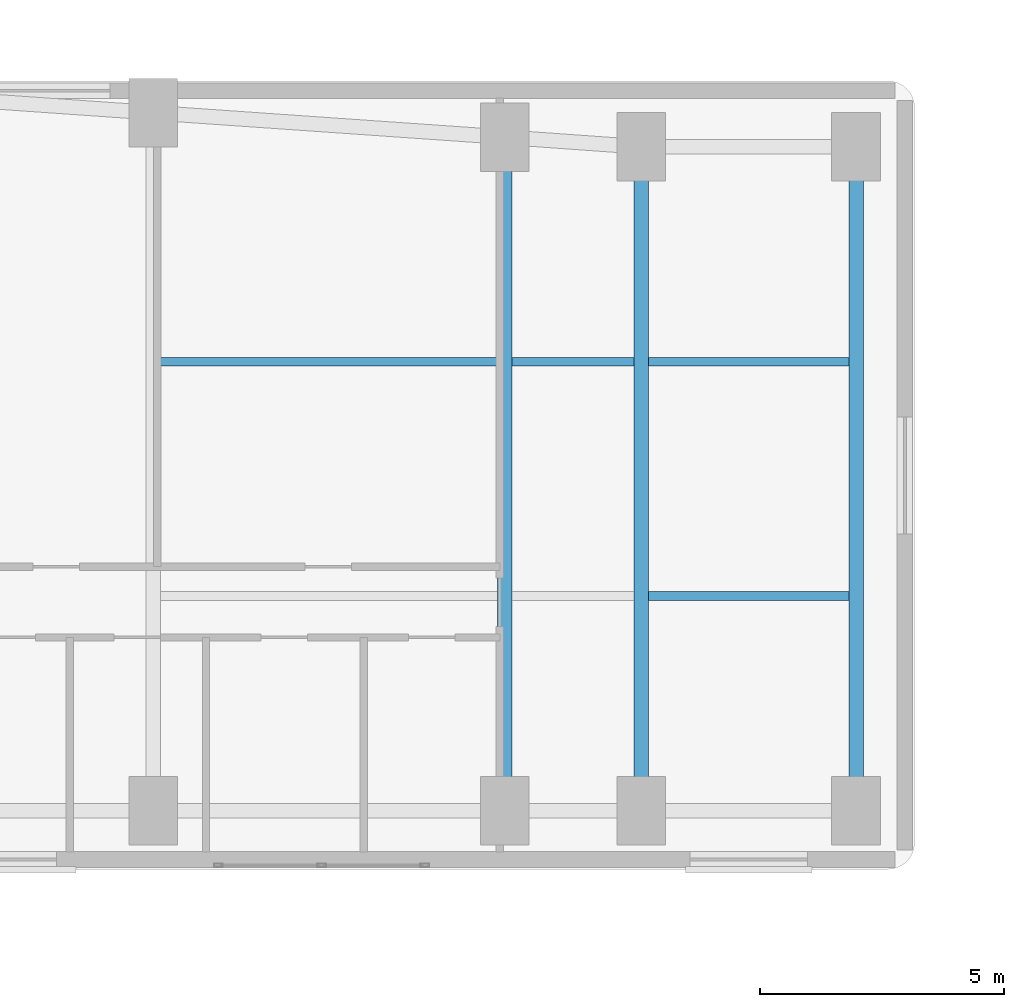
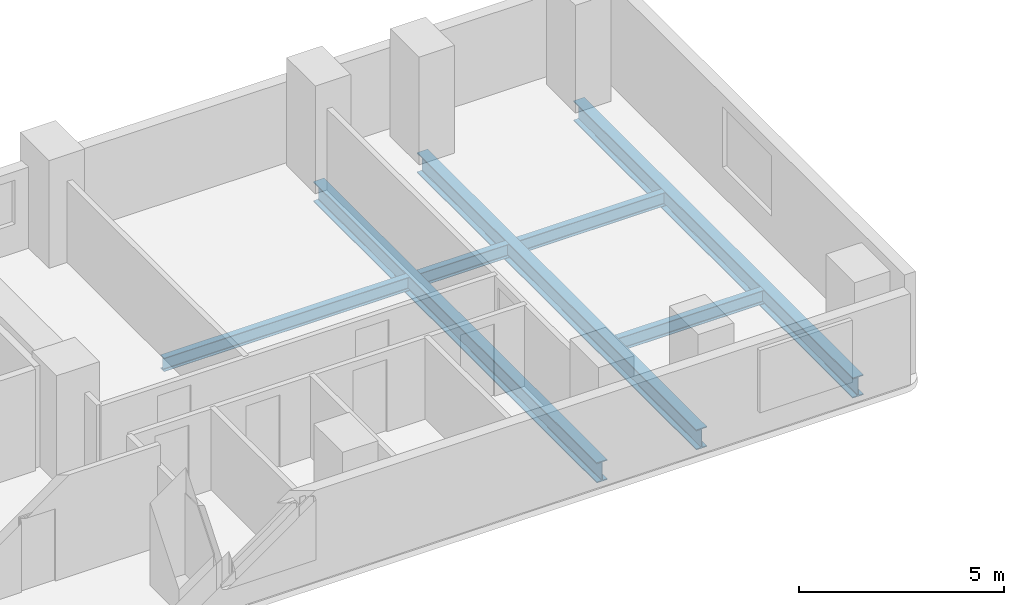
# One storey, part 7 of 18: 7 beams.
"""IFC4 building model written with IfcOpenShell, lengths in metres."""

from ifc_helpers import new_model, si_unit, direction, frame, origin, origin_2d, place, context, subcontext, project, spatial, i_section, extrude, material, material_profile, profile_set, type_object, element, save


model = new_model("IFC4")

# Units and contexts
model_context = context("Model", 3, precision=1e-05, world=origin(), true_north=direction((0.0, 1.0)))
body_context = subcontext(model_context, "Body", "Model", "MODEL_VIEW")
ifc_project = project(units=[si_unit("LENGTHUNIT", "METRE"), si_unit("AREAUNIT", "SQUARE_METRE"), si_unit("VOLUMEUNIT", "CUBIC_METRE"), si_unit("PLANEANGLEUNIT", "RADIAN"), si_unit("MASSUNIT", "GRAM", prefix="KILO")], contexts=[model_context])

# Site, building, storey
site_placement = place(None, origin())
site = spatial("IfcSite", under=ifc_project, at=site_placement, CompositionType="ELEMENT")
building_placement = place(site_placement, origin())
building = spatial("IfcBuilding", under=site, at=building_placement, Name="Kuzgunbayir Cultural Tower", CompositionType="ELEMENT")
storey_placement = place(building_placement, frame((0.0, 0.0, 53.199951171875)))
storey = spatial("IfcBuildingStorey", under=building, at=storey_placement, Name="L14", CompositionType="ELEMENT", Elevation=53.199951171875)

# Beams
ifc_material = material(Name="Steel S355J2", Category="steel")
ifc_material_profile_1 = material_profile(ifc_material, i_section(OverallWidth=0.300048828125, OverallDepth=0.60009765625, WebThickness=0.015380859375, FlangeThickness=0.030029296875, FilletRadius=0.027099609375, at=origin_2d()), Name="HEB 600")
ifc_profile_set_1 = profile_set([ifc_material_profile_1], Name="Steel S355J2")
beam_type_1 = type_object("IfcBeamType", Name="BM-GIR-HEB600", PredefinedType="BEAM", material=ifc_profile_set_1)
beam_1_placement = place(storey_placement, frame((38.39990234375, 27.60009765625, -0.47998046875), z_axis=(0.0, 1.0, 0.0), x_axis=(-1.0, 0.0, 0.0)))
element("IfcBeam", 1, at=beam_1_placement, inside=storey, type_object=beam_type_1, Name="L14 Wing B Cross Girder 38", PredefinedType="BEAM", context=body_context, shape_type="SweptSolid", body=[
    extrude(i_section(OverallWidth=0.300048828125, OverallDepth=0.60009765625, WebThickness=0.015380859375, FlangeThickness=0.030029296875, FilletRadius=0.027099609375, at=origin_2d()), origin(), (0.0, 0.0, 1.0), 13.7998046875),
])
for number, where, z_axis, x_axis, name in (
    (2, (41.199951171875, 27.60009765625, -0.47998046875), (0.0, 1.0, 0.0), (-1.0, 0.0, 0.0), "L14 Wing B Cross Girder 41"),
    (3, (45.60009765625, 27.60009765625, -0.47998046875), (0.0, 1.0, 0.0), (-1.0, 0.0, 0.0), "L14 Wing B Cross Girder 45"),
):
    element("IfcBeam", number, at=place(storey_placement, frame(where, z_axis=z_axis, x_axis=x_axis)), inside=storey, type_object=beam_type_1, Name=name, PredefinedType="BEAM", context=body_context, shape_type="SweptSolid", body=[
        extrude(i_section(OverallWidth=0.300048828125, OverallDepth=0.60009765625, WebThickness=0.015380859375, FlangeThickness=0.030029296875, FilletRadius=0.027099609375, at=origin_2d()), origin(), (0.0, 0.0, 1.0), 13.599853515625),
    ])
ifc_material_profile_2 = material_profile(ifc_material, i_section(OverallWidth=0.179931640625, OverallDepth=0.39990234375, WebThickness=0.008544921875, FlangeThickness=0.013427734375, FilletRadius=0.02099609375, at=origin_2d()), Name="IPE 400")
ifc_profile_set_2 = profile_set([ifc_material_profile_2], Name="Steel S355J2")
beam_type_2 = type_object("IfcBeamType", Name="BM-JST-IPE400", PredefinedType="JOIST", material=ifc_profile_set_2)
beam_2_placement = place(storey_placement, frame((31.35009765625, 36.800048828125, -0.3798828125), z_axis=(1.0, 0.0, 0.0), x_axis=(0.0, 1.0, 0.0)))
element("IfcBeam", 4, at=beam_2_placement, inside=storey, type_object=beam_type_2, Name="L14 Wing B Secondary Joist 1.2", PredefinedType="JOIST", context=body_context, shape_type="SweptSolid", body=[
    extrude(i_section(OverallWidth=0.179931640625, OverallDepth=0.39990234375, WebThickness=0.008544921875, FlangeThickness=0.013427734375, FilletRadius=0.02099609375, at=origin_2d()), origin(), (0.0, 0.0, 1.0), 6.89990234375),
])
beam_3_placement = place(storey_placement, frame((38.550048828125, 36.800048828125, -0.3798828125), z_axis=(1.0, 0.0, 0.0), x_axis=(0.0, 1.0, 0.0)))
element("IfcBeam", 5, at=beam_3_placement, inside=storey, type_object=beam_type_2, Name="L14 Wing B Secondary Joist 2.2", PredefinedType="JOIST", context=body_context, shape_type="SweptSolid", body=[
    extrude(i_section(OverallWidth=0.179931640625, OverallDepth=0.39990234375, WebThickness=0.008544921875, FlangeThickness=0.013427734375, FilletRadius=0.02099609375, at=origin_2d()), origin(), (0.0, 0.0, 1.0), 2.5),
])
for number, where, z_axis, x_axis, name in (
    (6, (41.35009765625, 32.0, -0.3798828125), (1.0, 0.0, 0.0), (0.0, 1.0, 0.0), "L14 Wing B Secondary Joist 3.1"),
    (7, (41.35009765625, 36.800048828125, -0.3798828125), (1.0, 0.0, 0.0), (0.0, 1.0, 0.0), "L14 Wing B Secondary Joist 3.2"),
):
    element("IfcBeam", number, at=place(storey_placement, frame(where, z_axis=z_axis, x_axis=x_axis)), inside=storey, type_object=beam_type_2, Name=name, PredefinedType="JOIST", context=body_context, shape_type="SweptSolid", body=[
        extrude(i_section(OverallWidth=0.179931640625, OverallDepth=0.39990234375, WebThickness=0.008544921875, FlangeThickness=0.013427734375, FilletRadius=0.02099609375, at=origin_2d()), origin(), (0.0, 0.0, 1.0), 4.099853515625),
    ])

save(model, "model.ifc")
